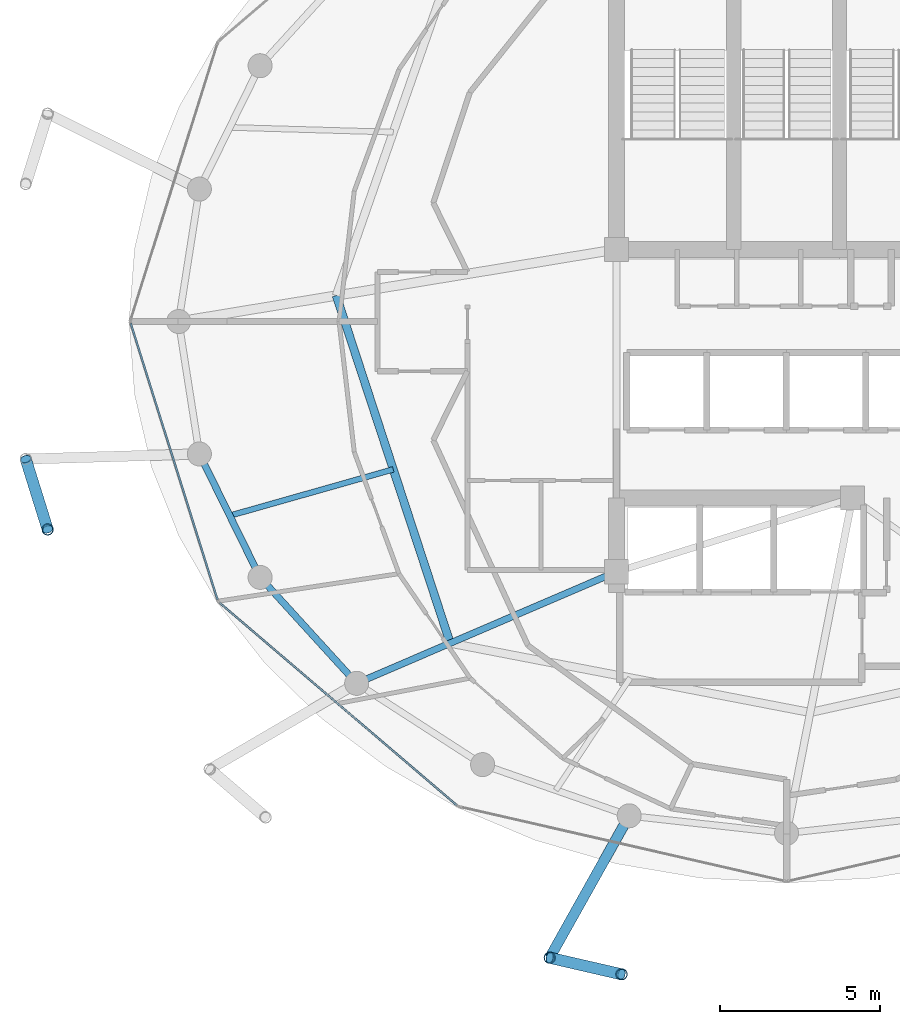
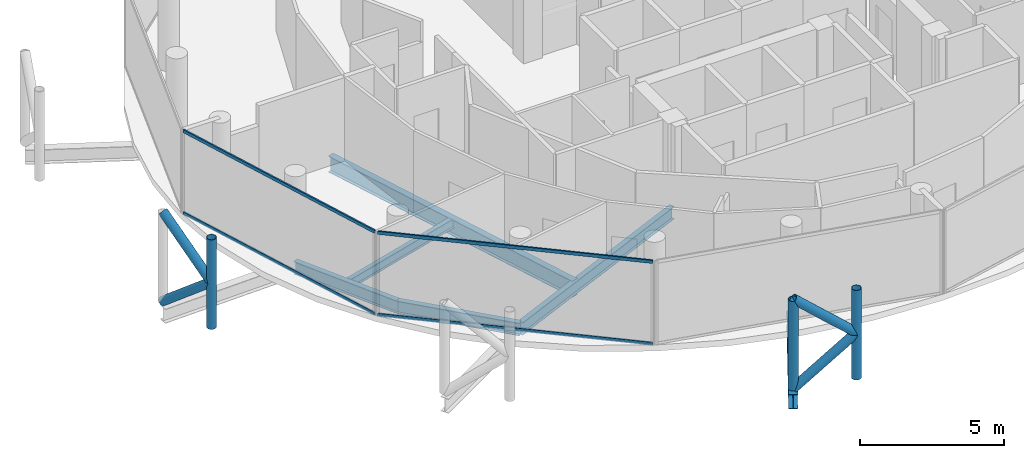
# One storey, part 3 of 24: 11 members, 6 beams, 2 elements without a shape of their own.
"""IFC4 building model written with IfcOpenShell, lengths in metres."""

from ifc_helpers import new_model, si_unit, direction, frame, origin, origin_2d, place, context, subcontext, project, spatial, hollow_rectangle, hollow_circle, i_section, extrude, material, layer, layer_set, material_profile, profile_set, type_object, element, aggregate, save


model = new_model("IFC4")

# Units and contexts
model_context = context("Model", 3, precision=1e-05, world=origin(), true_north=direction((0.0, 1.0)))
body_context = subcontext(model_context, "Body", "Model", "MODEL_VIEW")
ifc_project = project(units=[si_unit("LENGTHUNIT", "METRE"), si_unit("AREAUNIT", "SQUARE_METRE"), si_unit("VOLUMEUNIT", "CUBIC_METRE"), si_unit("PLANEANGLEUNIT", "RADIAN"), si_unit("MASSUNIT", "GRAM", prefix="KILO")], contexts=[model_context])

# Site, building, storey
site_placement = place(None, origin())
site = spatial("IfcSite", under=ifc_project, at=site_placement, CompositionType="ELEMENT")
building_placement = place(site_placement, origin())
building = spatial("IfcBuilding", under=site, at=building_placement, Name="Nuhasar Tower", CompositionType="ELEMENT")
storey_placement = place(building_placement, frame((0.0, 0.0, 289.800048828125)))
storey = spatial("IfcBuildingStorey", under=building, at=storey_placement, Name="L72", CompositionType="ELEMENT", Elevation=289.800048828125)

# Beams
ifc_material_1 = material(Name="Steel S355", Category="steel")
ifc_material_profile_1 = material_profile(ifc_material_1, i_section(OverallWidth=0.25390625, OverallDepth=0.68408203125, WebThickness=0.012451171875, FlangeThickness=0.018798828125, at=origin_2d()), Name="W27X94")
ifc_profile_set_1 = profile_set([ifc_material_profile_1], Name="Steel S355")
beam_type_1 = type_object("IfcBeamType", Name="BM-INRING-W27X94", PredefinedType="BEAM", material=ifc_profile_set_1)
beam_1_placement = place(storey_placement, frame((24.964111328125, 27.610107421875, -0.60205078125), z_axis=(0.311483801376, -0.950251462235, 0.0), x_axis=(0.950251462235, 0.311483801376, 0.0)))
element("IfcBeam", 1, at=beam_1_placement, inside=storey, type_object=beam_type_1, Name="L72 Inner Header Beam 08", PredefinedType="BEAM", context=body_context, shape_type="SweptSolid", body=[
    extrude(i_section(OverallWidth=0.25390625, OverallDepth=0.68408203125, WebThickness=0.012451171875, FlangeThickness=0.018798828125, at=origin_2d()), origin(), (0.0, 0.0, 1.0), 11.403564453125),
])
ifc_material_profile_2 = material_profile(ifc_material_1, i_section(OverallWidth=0.177978515625, OverallDepth=0.406005859375, WebThickness=0.0078125, FlangeThickness=0.0126953125, at=origin_2d()), Name="W16X40")
ifc_profile_set_2 = profile_set([ifc_material_profile_2], Name="Steel S355")
beam_type_2 = type_object("IfcBeamType", Name="BM-JST-W16X40", PredefinedType="JOIST", material=ifc_profile_set_2)
beam_2_placement = place(storey_placement, frame((26.739990234375, 22.19189453125, -0.463134765625), z_axis=(-0.962154316042, -0.272505178156, 0.0), x_axis=(0.272505178156, -0.962154316042, 0.0)))
element("IfcBeam", 2, at=beam_2_placement, inside=storey, type_object=beam_type_2, Name="L72 Secondary Floor Joist 08", PredefinedType="JOIST", context=body_context, shape_type="SweptSolid", body=[
    extrude(i_section(OverallWidth=0.177978515625, OverallDepth=0.406005859375, WebThickness=0.0078125, FlangeThickness=0.0126953125, at=origin_2d()), origin(), (0.0, 0.0, 1.0), 5.29833984375),
])
ifc_material_profile_3 = material_profile(ifc_material_1, i_section(OverallWidth=0.208984375, OverallDepth=0.528076171875, WebThickness=0.009521484375, FlangeThickness=0.01318359375, at=origin_2d()), Name="W21X55")
ifc_profile_set_3 = profile_set([ifc_material_profile_3], Name="Steel S355")
beam_type_3 = type_object("IfcBeamType", Name="BM-RAD-W21X55", PredefinedType="BEAM", material=ifc_profile_set_3)
beam_3_placement = place(storey_placement, frame((33.699951171875, 19.0, -0.524169921875), z_axis=(-0.91887119061, -0.394557644797, 0.0), x_axis=(0.394557644797, -0.91887119061, 0.0)))
element("IfcBeam", 3, at=beam_3_placement, inside=storey, type_object=beam_type_3, Name="L72 Radial Floor Girder 01", PredefinedType="BEAM", context=body_context, shape_type="SweptSolid", body=[
    extrude(i_section(OverallWidth=0.208984375, OverallDepth=0.528076171875, WebThickness=0.009521484375, FlangeThickness=0.01318359375, at=origin_2d()), origin(), (0.0, 0.0, 1.0), 8.81494140625),
])
ifc_material_profile_4 = material_profile(ifc_material_1, i_section(OverallWidth=0.2099609375, OverallDepth=0.537109375, WebThickness=0.010986328125, FlangeThickness=0.017333984375, at=origin_2d()), Name="W21X68")
ifc_profile_set_4 = profile_set([ifc_material_profile_4], Name="Steel S355")
beam_type_4 = type_object("IfcBeamType", Name="BM-RING-W21X68", PredefinedType="SPANDREL", material=ifc_profile_set_4)
beam_4_placement = place(storey_placement, frame((20.696044921875, 22.672119140625, -0.528076171875), z_axis=(0.441510561726, -0.897256052576, 0.0), x_axis=(0.897256052576, 0.441510561726, 0.0)))
element("IfcBeam", 4, at=beam_4_placement, inside=storey, type_object=beam_type_4, Name="L72 Perimeter Ring Spandrel 14", PredefinedType="SPANDREL", context=body_context, shape_type="SweptSolid", body=[
    extrude(i_section(OverallWidth=0.2099609375, OverallDepth=0.537109375, WebThickness=0.010986328125, FlangeThickness=0.017333984375, at=origin_2d()), origin(), (0.0, 0.0, 1.0), 4.28759765625),
])
beam_5_placement = place(storey_placement, frame((22.589111328125, 18.824951171875, -0.528076171875), z_axis=(0.673686302939, -0.739017432293, 0.0), x_axis=(0.739017432293, 0.673686302939, 0.0)))
element("IfcBeam", 5, at=beam_5_placement, inside=storey, type_object=beam_type_4, Name="L72 Perimeter Ring Spandrel 15", PredefinedType="SPANDREL", context=body_context, shape_type="SweptSolid", body=[
    extrude(i_section(OverallWidth=0.2099609375, OverallDepth=0.537109375, WebThickness=0.010986328125, FlangeThickness=0.017333984375, at=origin_2d()), origin(), (0.0, 0.0, 1.0), 4.469482421875),
])
ifc_material_profile_5 = material_profile(ifc_material_1, i_section(OverallWidth=0.323974609375, OverallDepth=0.611083984375, WebThickness=0.0126953125, FlangeThickness=0.01904296875, at=origin_2d()), Name="W24X104")
ifc_profile_set_5 = profile_set([ifc_material_profile_5], Name="Steel S355")
beam_type_5 = type_object("IfcBeamType", Name="BM-TIE-W24X104", PredefinedType="BEAM", material=ifc_profile_set_5)
beam_6_placement = place(storey_placement, frame((34.094970703125, 11.39306640625, -0.56494140625), z_axis=(-0.488667847762, -0.872469904675, 0.0), x_axis=(0.872469904675, -0.488667847762, 0.0)))
element("IfcBeam", 6, at=beam_6_placement, inside=storey, type_object=beam_type_5, Name="L72 Exoskeleton Node Tie Beam 09", PredefinedType="BEAM", context=body_context, shape_type="SweptSolid", body=[
    extrude(i_section(OverallWidth=0.323974609375, OverallDepth=0.611083984375, WebThickness=0.0126953125, FlangeThickness=0.01904296875, at=origin_2d()), origin(), (0.0, 0.0, 1.0), 5.072998046875),
])

# Curtain wall, members
ifc_material_2 = material(Name="Aluminium 6063-T6", Category="aluminium")
ifc_layer = layer(ifc_material_2, 0.18994140625)
ifc_layer_set = layer_set([ifc_layer], Name="Aluminium 6063-T6")
curtain_wall_type = type_object("IfcCurtainWallType", Name="CW-Z4-PEN", PredefinedType="NOTDEFINED", material=ifc_layer_set)
curtain_wall_1_placement = place(storey_placement, origin())
curtain_wall_1 = element("IfcCurtainWall", 7, at=curtain_wall_1_placement, inside=storey, type_object=curtain_wall_type, Name="L72 Unitised Curtain Wall 07", PredefinedType="NOTDEFINED")
ifc_material_profile_6 = material_profile(ifc_material_2, hollow_rectangle(XDim=0.06005859375, YDim=0.135009765625, WallThickness=0.00439453125, at=origin_2d()), Name="CWT-5")
ifc_profile_set_6 = profile_set([ifc_material_profile_6], Name="Aluminium 6063-T6")
member_type_1 = type_object("IfcMemberType", Name="CW-TRN-S5", PredefinedType="USERDEFINED", material=ifc_profile_set_6)
member_1_placement = place(storey_placement, frame((18.557861328125, 26.74267578125, 0.030029296875), z_axis=(0.29956014073, -0.954077419335, 0.0), x_axis=(0.954077419335, 0.29956014073, 0.0)))
member_1 = element("IfcMember", 8, at=member_1_placement, type_object=member_type_1, Name="CW-Z4 transom 1.1", ObjectType="TRANSOM", PredefinedType="USERDEFINED", context=body_context, shape_type="SweptSolid", body=[
    extrude(hollow_rectangle(XDim=0.06005859375, YDim=0.135009765625, WallThickness=0.00439453125, at=origin_2d()), origin(), (0.0, 0.0, 1.0), 9.0302734375),
])
member_2_placement = place(storey_placement, frame((18.557861328125, 26.74267578125, 3.510009765625), z_axis=(0.29956014073, -0.954077419335, 0.0), x_axis=(0.954077419335, 0.29956014073, 0.0)))
member_2 = element("IfcMember", 9, at=member_2_placement, type_object=member_type_1, Name="CW-Z4 transom 1.2", ObjectType="TRANSOM", PredefinedType="USERDEFINED", context=body_context, shape_type="SweptSolid", body=[
    extrude(hollow_rectangle(XDim=0.06005859375, YDim=0.135009765625, WallThickness=0.00439453125, at=origin_2d()), origin(), (0.0, 0.0, 1.0), 9.0302734375),
])
aggregate(curtain_wall_1, [member_1, member_2])

curtain_wall_2_placement = place(storey_placement, origin())
curtain_wall_2 = element("IfcCurtainWall", 10, at=curtain_wall_2_placement, inside=storey, type_object=curtain_wall_type, Name="L72 Unitised Curtain Wall 08", PredefinedType="NOTDEFINED")
member_3_placement = place(storey_placement, frame((21.32666015625, 18.031005859375, 0.030029296875), z_axis=(0.760672431431, -0.649135927261, 0.0), x_axis=(0.649135927261, 0.760672431431, 0.0)))
member_3 = element("IfcMember", 11, at=member_3_placement, type_object=member_type_1, Name="CW-Z4 transom 1.1", ObjectType="TRANSOM", PredefinedType="USERDEFINED", context=body_context, shape_type="SweptSolid", body=[
    extrude(hollow_rectangle(XDim=0.06005859375, YDim=0.135009765625, WallThickness=0.00439453125, at=origin_2d()), origin(), (0.0, 0.0, 1.0), 9.72509765625),
])
member_4_placement = place(storey_placement, frame((21.32666015625, 18.031005859375, 3.510009765625), z_axis=(0.760672431431, -0.649135927261, 0.0), x_axis=(0.649135927261, 0.760672431431, 0.0)))
member_4 = element("IfcMember", 12, at=member_4_placement, type_object=member_type_1, Name="CW-Z4 transom 1.2", ObjectType="TRANSOM", PredefinedType="USERDEFINED", context=body_context, shape_type="SweptSolid", body=[
    extrude(hollow_rectangle(XDim=0.06005859375, YDim=0.135009765625, WallThickness=0.00439453125, at=origin_2d()), origin(), (0.0, 0.0, 1.0), 9.72509765625),
])
aggregate(curtain_wall_2, [member_3, member_4])

# Members
ifc_material_3 = material(Name="Steel S460", Category="steel")
ifc_material_profile_7 = material_profile(ifc_material_3, hollow_circle(Radius=0.177734375, WallThickness=0.015869140625, at=origin_2d()), Name="HSS355.6X15.9")
ifc_profile_set_7 = profile_set([ifc_material_profile_7], Name="Steel S460")
member_type_2 = type_object("IfcMemberType", Name="EXO-BRONZE-356", PredefinedType="BRACE", material=ifc_profile_set_7)
for number, where, z_axis, x_axis, name in (
    (13, (15.967041015625, 20.319091796875, 0.0), (0.0, 0.0, 1.0), (1.0, 0.0, 0.0), "L72 Exoskeleton Chord Column EC-07B"),
    (14, (31.615966796875, 6.967041015625, 0.0), (0.0, 0.0, 1.0), (1.0, 0.0, 0.0), "L72 Exoskeleton Chord Column EC-09A"),
    (15, (33.85693359375, 6.450927734375, 0.0), (0.0, 0.0, 1.0), (1.0, 0.0, 0.0), "L72 Exoskeleton Chord Column EC-09B"),
):
    element("IfcMember", number, at=place(storey_placement, frame(where, z_axis=z_axis, x_axis=x_axis)), inside=storey, type_object=member_type_2, Name=name, PredefinedType="BRACE", context=body_context, shape_type="SweptSolid", body=[
        extrude(hollow_circle(Radius=0.177734375, WallThickness=0.015869140625, at=origin_2d()), origin(), (0.0, 0.0, 1.0), 3.800048828125),
    ])
member_5_placement = place(storey_placement, frame((15.281982421875, 22.513916015625, 0.0), z_axis=(0.229681361446, -0.735864376122, 0.636985158507), x_axis=(0.954581948223, 0.297948492404, 0.0)))
element("IfcMember", 16, at=member_5_placement, inside=storey, type_object=member_type_2, Name="L72 Bronze Diagrid Brace W1-07", PredefinedType="BRACE", context=body_context, shape_type="SweptSolid", body=[
    extrude(hollow_circle(Radius=0.177734375, WallThickness=0.015869140625, at=origin_2d()), origin(), (0.0, 0.0, 1.0), 2.982666015625),
])
for number, where, z_axis, x_axis, name in (
    (17, (15.967041015625, 20.319091796875, 1.89990234375), (-0.229669386127, 0.73582600901, 0.637033796232), (-0.954581948223, -0.297948492404, 0.0), "L72 Bronze Diagrid Brace W2-07"),
    (18, (31.615966796875, 6.967041015625, 0.0), (0.751260978137, -0.173021648086, 0.636922642103), (0.224433035437, 0.97448951385, 0.0), "L72 Bronze Diagrid Brace W1-09"),
):
    element("IfcMember", number, at=place(storey_placement, frame(where, z_axis=z_axis, x_axis=x_axis)), inside=storey, type_object=member_type_2, Name=name, PredefinedType="BRACE", context=body_context, shape_type="SweptSolid", body=[
        extrude(hollow_circle(Radius=0.177734375, WallThickness=0.015869140625, at=origin_2d()), origin(), (0.0, 0.0, 1.0), 2.98291015625),
    ])
member_6_placement = place(storey_placement, frame((33.85693359375, 6.450927734375, 1.89990234375), z_axis=(-0.751221815951, 0.173012628709, 0.636971281571), x_axis=(-0.224433035437, -0.97448951385, 0.0)))
element("IfcMember", 19, at=member_6_placement, inside=storey, type_object=member_type_2, Name="L72 Bronze Diagrid Brace W2-09", PredefinedType="BRACE", context=body_context, shape_type="SweptSolid", body=[
    extrude(hollow_circle(Radius=0.177734375, WallThickness=0.015869140625, at=origin_2d()), origin(), (0.0, 0.0, 1.0), 2.983154296875),
])

save(model, "model.ifc")
